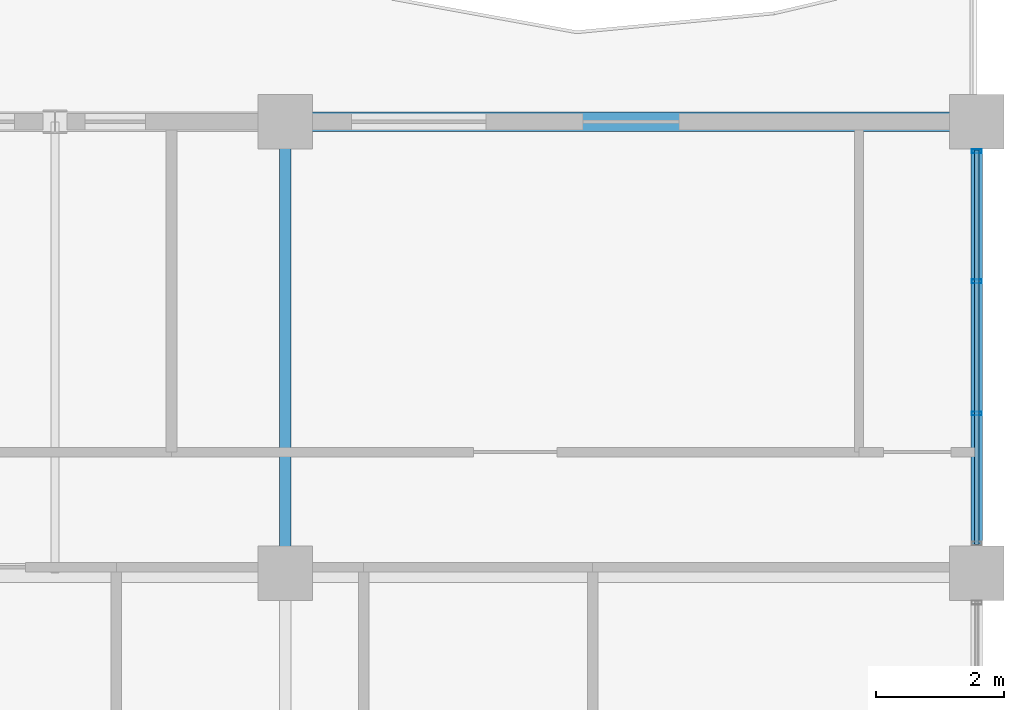
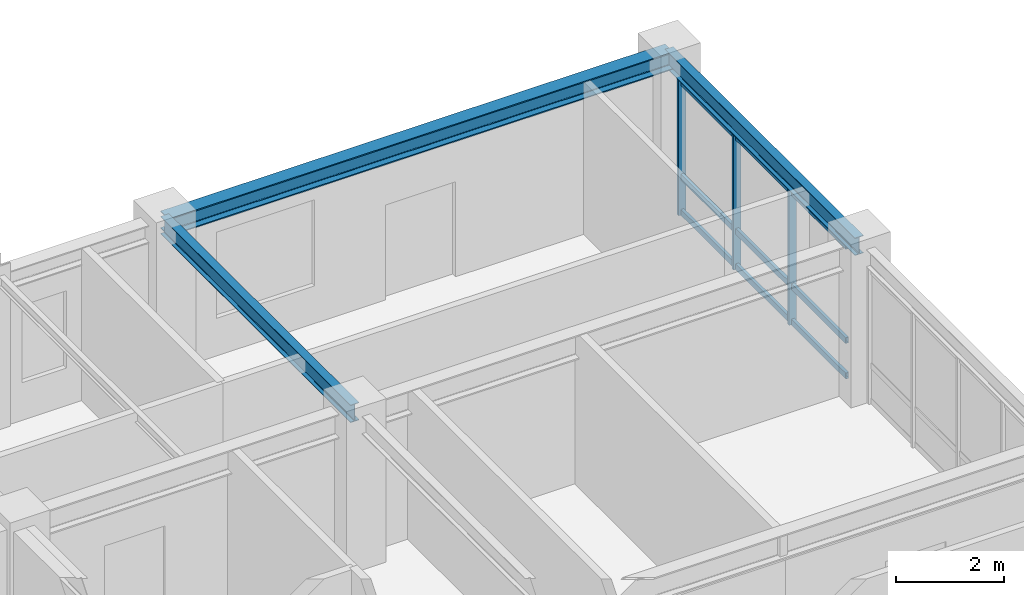
# One storey, part 4 of 11: 6 members, 3 beams, 1 element without a shape of its own.
"""IFC4 building model written with IfcOpenShell, lengths in metres."""

import ifcopenshell
import ifcopenshell.guid

model = None  # the IFC model being written
_history = None  # IfcOwnerHistory: only IFC2X3 demands one
_inside = {}  # id of a spatial element -> (the spatial element, [elements in it])
_under = {}  # id of a project, library or spatial element -> (it, [spatial elements below it])
_declared = {}  # id of a project -> (the project, [libraries it declares])
_typed = {}  # id of a type object -> (the type object, [elements of that type])
_made_of = {}  # id of a material, layer set ... -> (it, [elements and type objects made of it])


def new_model(schema):
    """Start an empty IFC model of exactly this schema.

    Asked for "IFC4X3", IfcOpenShell would pick the latest addendum, in which some entities
    have other attributes; the version numbers below select the first issue.
    IFC2X3 requires an IfcOwnerHistory on every rooted entity: one is made here for all.
    """
    global model, _history
    if schema == "IFC4X3":
        model = ifcopenshell.file(schema_version=(4, 3, 0, 0))
    else:
        model = ifcopenshell.file(schema=schema)
    _inside.clear()
    _under.clear()
    _declared.clear()
    _typed.clear()
    _made_of.clear()
    _history = None
    if model.schema == "IFC2X3":
        org = make("IfcOrganization", Name="unknown")
        user = make(
            "IfcPersonAndOrganization",
            ThePerson=make("IfcPerson", FamilyName="unknown"),
            TheOrganization=org,
        )
        app = make(
            "IfcApplication",
            ApplicationDeveloper=org,
            Version="unknown",
            ApplicationFullName="unknown",
            ApplicationIdentifier="unknown",
        )
        _history = make(
            "IfcOwnerHistory",
            OwningUser=user,
            OwningApplication=app,
            ChangeAction="ADDED",
            CreationDate=0,
        )
    return model


def make(cls, **values):
    """One entity of the class cls with the attributes given. An attribute that is None is left unset."""
    return model.create_entity(
        cls, **{name: value for name, value in values.items() if value is not None}
    )


def rooted(cls, **values):
    """An entity with a GlobalId (a new one), such as an element, a storey or a relation."""
    return make(cls, GlobalId=ifcopenshell.guid.new(), OwnerHistory=_history, **values)


def si_unit(unit_type, name, prefix=None):
    """IfcSIUnit, for example si_unit("LENGTHUNIT", "METRE", prefix="MILLI")."""
    return make("IfcSIUnit", UnitType=unit_type, Prefix=prefix, Name=name)


def assignment(units):
    """IfcUnitAssignment: the units of a project."""
    return None if units is None else make("IfcUnitAssignment", Units=units)


def point(xyz):
    """IfcCartesianPoint."""
    return None if xyz is None else make("IfcCartesianPoint", Coordinates=xyz)


def direction(xyz):
    """IfcDirection."""
    return None if xyz is None else make("IfcDirection", DirectionRatios=xyz)


def frame(location, z_axis=None, x_axis=None):
    """IfcAxis2Placement3D, a coordinate frame: its origin and axes. An axis left out is left unset."""
    return make(
        "IfcAxis2Placement3D",
        Location=point(location),
        Axis=direction(z_axis),
        RefDirection=direction(x_axis),
    )


def frame_2d(location, x_axis=None):
    """IfcAxis2Placement2D, a coordinate frame in the plane: its origin and x axis."""
    return make(
        "IfcAxis2Placement2D", Location=point(location), RefDirection=direction(x_axis)
    )


def origin():
    """The frame at (0, 0, 0) with its axes left unset."""
    return frame((0.0, 0.0, 0.0))


def origin_2d():
    """The frame at (0, 0) in the plane with its x axis left unset."""
    return frame_2d((0.0, 0.0))


def place(relative_to, where):
    """IfcLocalPlacement: puts the frame where relative to a parent placement (None: the world)."""
    return make(
        "IfcLocalPlacement", PlacementRelTo=relative_to, RelativePlacement=where
    )


def context(
    kind, dimensions, precision=None, world=None, true_north=None, identifier=None
):
    """IfcGeometricRepresentationContext, for example the 3D "Model" context."""
    return make(
        "IfcGeometricRepresentationContext",
        ContextIdentifier=identifier,
        ContextType=kind,
        CoordinateSpaceDimension=dimensions,
        Precision=precision,
        WorldCoordinateSystem=world,
        TrueNorth=true_north,
    )


def subcontext(parent, identifier, kind, view, scale=None):
    """IfcGeometricRepresentationSubContext, for example "Body" below "Model"."""
    return make(
        "IfcGeometricRepresentationSubContext",
        ContextIdentifier=identifier,
        ContextType=kind,
        ParentContext=parent,
        TargetScale=scale,
        TargetView=view,
    )


def project(units=None, contexts=None):
    """IfcProject with its units and contexts."""
    return rooted(
        "IfcProject",
        Name="project",
        RepresentationContexts=contexts,
        UnitsInContext=assignment(units),
    )


def spatial(cls, under=None, at=None, **own):
    """A site, building, storey or space (cls), placed at a placement, below another one or the project."""
    s = rooted(cls, ObjectPlacement=at, **own)
    if under is not None:
        _under.setdefault(under.id(), (under, []))[1].append(s)
    return s


def profile(cls, at=None, kind="AREA", **sizes):
    """A parametric profile (cls). Its sizes go by their IFC names, for example OverallWidth=200.0."""
    return make(cls, ProfileType=kind, Position=at, **sizes)


def hollow_rectangle(**sizes):
    """IfcRectangleHollowProfileDef."""
    return profile("IfcRectangleHollowProfileDef", **sizes)


def i_section(**sizes):
    """IfcIShapeProfileDef."""
    return profile("IfcIShapeProfileDef", **sizes)


def extrude(swept, where, along, depth):
    """IfcExtrudedAreaSolid: the profile swept, set in the frame where, extruded along a direction by depth."""
    return make(
        "IfcExtrudedAreaSolid",
        SweptArea=swept,
        Position=where,
        ExtrudedDirection=direction(along),
        Depth=depth,
    )


def shape(context_of_items, identifier, shape_type, items):
    """IfcShapeRepresentation: the items that make up one representation, for example the "Body"."""
    return make(
        "IfcShapeRepresentation",
        ContextOfItems=context_of_items,
        RepresentationIdentifier=identifier,
        RepresentationType=shape_type,
        Items=items,
    )


def source(mapping_origin, context_of_items, identifier, shape_type, items):
    """IfcRepresentationMap: a shape defined once, which mapped items show again and again."""
    return make(
        "IfcRepresentationMap",
        MappingOrigin=mapping_origin,
        MappedRepresentation=shape(context_of_items, identifier, shape_type, items),
    )


def transform(
    local_origin,
    x_axis=None,
    y_axis=None,
    z_axis=None,
    scale=None,
    scale2=None,
    scale3=None,
    uniform=True,
):
    """IfcCartesianTransformationOperator3D, or its non-uniform kind. x_axis, y_axis, z_axis: its Axis1, 2, 3."""
    if uniform:
        return make(
            "IfcCartesianTransformationOperator3D",
            Axis1=direction(x_axis),
            Axis2=direction(y_axis),
            LocalOrigin=point(local_origin),
            Scale=scale,
            Axis3=direction(z_axis),
        )
    return make(
        "IfcCartesianTransformationOperator3DnonUniform",
        Axis1=direction(x_axis),
        Axis2=direction(y_axis),
        LocalOrigin=point(local_origin),
        Scale=scale,
        Axis3=direction(z_axis),
        Scale2=scale2,
        Scale3=scale3,
    )


def mapped(mapping_source, mapping_target):
    """IfcMappedItem: shows the shape of a source again, moved by a transform."""
    return make(
        "IfcMappedItem", MappingSource=mapping_source, MappingTarget=mapping_target
    )


def material(Name=None, Category=None):
    """IfcMaterial."""
    return make("IfcMaterial", Name=Name, Category=Category)


def layer(
    of_material, thickness, ventilated=None, Name=None, Category=None, Priority=None
):
    """IfcMaterialLayer: one layer of a wall or slab, of a material (None: an air gap)."""
    return make(
        "IfcMaterialLayer",
        Material=of_material,
        LayerThickness=thickness,
        IsVentilated=ventilated,
        Name=Name,
        Category=Category,
        Priority=Priority,
    )


def layer_set(layers, Name=None):
    """IfcMaterialLayerSet."""
    return make("IfcMaterialLayerSet", MaterialLayers=layers, LayerSetName=Name)


def material_profile(
    of_material, cross_section, Name=None, Category=None, Priority=None
):
    """IfcMaterialProfile: a cross section and its material."""
    return make(
        "IfcMaterialProfile",
        Name=Name,
        Material=of_material,
        Profile=cross_section,
        Priority=Priority,
        Category=Category,
    )


def profile_set(profiles, Name=None, composite=None):
    """IfcMaterialProfileSet."""
    return make(
        "IfcMaterialProfileSet",
        Name=Name,
        MaterialProfiles=profiles,
        CompositeProfile=composite,
    )


def made_of(thing, what):
    """Note that an element or type object is made of a material, layer set ...; save() writes the relation."""
    if what is not None:
        _made_of.setdefault(what.id(), (what, []))[1].append(thing)
    return thing


def type_object(cls, material=None, **own):
    """A type object (cls), such as IfcWallType, which elements share."""
    return made_of(rooted(cls, **own), material)


def element(
    cls,
    number,
    at=None,
    inside=None,
    cuts=None,
    type_object=None,
    material=None,
    context=None,
    identifier="Body",
    shape_type=None,
    held_by="IfcProductDefinitionShape",
    body=None,
    shapes=None,
    **own,
):
    """One element of the class cls, such as IfcWall. Its Tag is "e" and its number.

    at: its placement. inside: the storey or other place that contains it. cuts: it is an
    opening in that element (IfcRelVoidsElement). A single representation is given by context,
    identifier, shape_type and body (its items); several are given by shapes. held_by: the class
    of the entity that holds the representations. save() writes the other relations.
    """
    e = rooted(cls, Tag="e%d" % number, ObjectPlacement=at, **own)
    if body is not None:
        shapes = [shape(context, identifier, shape_type, body)]
    if shapes is not None:
        e.Representation = make(held_by, Representations=shapes)
    if inside is not None:
        _inside.setdefault(inside.id(), (inside, []))[1].append(e)
    if cuts is not None:
        rooted(
            "IfcRelVoidsElement", RelatingBuildingElement=cuts, RelatedOpeningElement=e
        )
    if type_object is not None:
        _typed.setdefault(type_object.id(), (type_object, []))[1].append(e)
    return made_of(e, material)


def aggregate(whole, parts):
    """IfcRelAggregates: a whole, such as a stair, and the parts it consists of."""
    return rooted("IfcRelAggregates", RelatingObject=whole, RelatedObjects=parts)


def save(model, path):
    """Write the relations noted so far, then the file.

    IfcRelAggregates (storeys below a building ...), IfcRelContainedInSpatialStructure (elements
    in a storey), IfcRelDefinesByType, IfcRelAssociatesMaterial and IfcRelDeclares: one each for
    every whole, place, type object, material and project.
    """
    for whole, parts in _under.values():
        aggregate(whole, parts)
    for where, things in _inside.values():
        rooted(
            "IfcRelContainedInSpatialStructure",
            RelatedElements=things,
            RelatingStructure=where,
        )
    for kind, things in _typed.values():
        rooted("IfcRelDefinesByType", RelatedObjects=things, RelatingType=kind)
    for what, things in _made_of.values():
        rooted("IfcRelAssociatesMaterial", RelatedObjects=things, RelatingMaterial=what)
    for by, libraries in _declared.values():
        rooted("IfcRelDeclares", RelatingContext=by, RelatedDefinitions=libraries)
    model.write(path)


model = new_model("IFC4")

# Units and contexts
model_context = context("Model", 3, precision=1e-05, world=origin(), true_north=direction((0.0, 1.0)))
body_context = subcontext(model_context, "Body", "Model", "MODEL_VIEW")
ifc_project = project(units=[si_unit("LENGTHUNIT", "METRE"), si_unit("AREAUNIT", "SQUARE_METRE"), si_unit("VOLUMEUNIT", "CUBIC_METRE"), si_unit("PLANEANGLEUNIT", "RADIAN"), si_unit("MASSUNIT", "GRAM", prefix="KILO")], contexts=[model_context])

# Site, building, storey
site_placement = place(None, origin())
site = spatial("IfcSite", under=ifc_project, at=site_placement, CompositionType="ELEMENT")
building_placement = place(site_placement, origin())
building = spatial("IfcBuilding", under=site, at=building_placement, Name="Kaliganga Portal Commons", CompositionType="ELEMENT")
storey_placement = place(building_placement, frame((0.0, 0.0, 268.39990234375)))
storey = spatial("IfcBuildingStorey", under=building, at=storey_placement, Name="L69", CompositionType="ELEMENT", Elevation=268.39990234375)

# Beams
ifc_material_1 = material(Name="Structural steel S355J2", Category="steel")
ifc_material_profile_1 = material_profile(ifc_material_1, i_section(OverallWidth=0.300048828125, OverallDepth=0.39990234375, WebThickness=0.013427734375, FlangeThickness=0.02392578125, FilletRadius=0.027099609375, at=origin_2d()), Name="HE 400 B")
ifc_profile_set_1 = profile_set([ifc_material_profile_1], Name="Structural steel S355J2 wide-flange")
beam_type_1 = type_object("IfcBeamType", Name="BM-SPAND-400", PredefinedType="SPANDREL", material=ifc_profile_set_1)
shared_shape_1 = source(origin(), body_context, "Body", "SweptSolid", [
    extrude(i_section(OverallWidth=0.300048828125, OverallDepth=0.39990234375, WebThickness=0.013427734375, FlangeThickness=0.02392578125, FilletRadius=0.027099609375, at=origin_2d()), origin(), (0.0, 0.0, 1.0), 10.800048828125),
])
beam_placement = place(storey_placement, frame((36.0, 43.199951171875, 3.275146484375), z_axis=(1.0, 0.0, 0.0), x_axis=(0.0, 1.0, 0.0)))
element("IfcBeam", 1, at=beam_placement, inside=storey, type_object=beam_type_1, Name="BM SP L69 AN 7", PredefinedType="SPANDREL", context=body_context, shape_type="MappedRepresentation", body=[
    mapped(shared_shape_1, transform((0.0, 0.0, 0.0), x_axis=(1.0, 0.0, 0.0), y_axis=(0.0, 1.0, 0.0), z_axis=(0.0, 0.0, 1.0), scale=1.0)),
])
ifc_material_profile_2 = material_profile(ifc_material_1, i_section(OverallWidth=0.179931640625, OverallDepth=0.39990234375, WebThickness=0.008544921875, FlangeThickness=0.013427734375, FilletRadius=0.02099609375, at=origin_2d()), Name="IPE 400")
ifc_profile_set_2 = profile_set([ifc_material_profile_2], Name="Structural steel S355J2 wide-flange")
beam_type_2 = type_object("IfcBeamType", Name="BM-FLR-400", PredefinedType="BEAM", material=ifc_profile_set_2)
shared_shape_2 = source(origin(), body_context, "Body", "SweptSolid", [
    extrude(i_section(OverallWidth=0.179931640625, OverallDepth=0.39990234375, WebThickness=0.008544921875, FlangeThickness=0.013427734375, FilletRadius=0.02099609375, at=origin_2d()), origin(), (0.0, 0.0, 1.0), 7.050048828125),
])
for number, where, z_axis, x_axis, name in (
    (2, (36.0, 36.14990234375, 3.275146484375), (0.0, 1.0, 0.0), (-1.0, 0.0, 0.0), "BM G L69 AN360"),
    (3, (46.800048828125, 36.14990234375, 3.275146484375), (0.0, 1.0, 0.0), (-1.0, 0.0, 0.0), "BM G L69 AN468"),
):
    element("IfcBeam", number, at=place(storey_placement, frame(where, z_axis=z_axis, x_axis=x_axis)), inside=storey, type_object=beam_type_2, Name=name, PredefinedType="BEAM", context=body_context, shape_type="MappedRepresentation", body=[
        mapped(shared_shape_2, transform((0.0, 0.0, 0.0), x_axis=(1.0, 0.0, 0.0), y_axis=(0.0, 1.0, 0.0), z_axis=(0.0, 0.0, 1.0), scale=1.0)),
    ])

# Curtain wall, members
ifc_material_2 = material(Name="Anodized Aluminium and Laminated Low-E Glass", Category="aluminium")
ifc_layer = layer(ifc_material_2, 0.18994140625)
ifc_layer_set = layer_set([ifc_layer], Name="Anodized Aluminium and Laminated Low-E Glass")
curtain_wall_type = type_object("IfcCurtainWallType", Name="CW-SYS-05", PredefinedType="NOTDEFINED", material=ifc_layer_set)
curtain_wall_placement = place(storey_placement, origin())
curtain_wall = element("IfcCurtainWall", 4, at=curtain_wall_placement, inside=storey, type_object=curtain_wall_type, Name="CW 05 L69 P1E01S3", PredefinedType="NOTDEFINED")
ifc_material_3 = material(Name="Dark Bronze Anodized Aluminium", Category="aluminium")
ifc_material_profile_3 = material_profile(ifc_material_3, hollow_rectangle(XDim=0.06494140625, YDim=0.135009765625, WallThickness=0.00341796875, at=origin_2d()), Name="ALU TRAN 65x135x3.5")
ifc_profile_set_3 = profile_set([ifc_material_profile_3], Name="Dark Bronze Anodized Aluminium")
member_type_1 = type_object("IfcMemberType", Name="CW-TRN-135", PredefinedType="USERDEFINED", material=ifc_profile_set_3)
shared_shape_3 = source(origin(), body_context, "Body", "SweptSolid", [
    extrude(hollow_rectangle(XDim=0.06494140625, YDim=0.135009765625, WallThickness=0.00341796875, at=origin_2d()), origin(), (0.0, 0.0, 1.0), 6.157958984375),
])
member_1_placement = place(storey_placement, frame((46.800048828125, 36.595947265625, 0.06005859375), z_axis=(0.0, 1.0, 0.0), x_axis=(-1.0, 0.0, 0.0)))
member_1 = element("IfcMember", 5, at=member_1_placement, type_object=member_type_1, Name="CW:05:L69:P1E01S3 Transom 1", ObjectType="TRANSOM", PredefinedType="USERDEFINED", context=body_context, shape_type="MappedRepresentation", body=[
    mapped(shared_shape_3, transform((0.0, 0.0, 0.0), x_axis=(1.0, 0.0, 0.0), y_axis=(0.0, 1.0, 0.0), z_axis=(0.0, 0.0, 1.0), scale=1.0)),
])
member_2_placement = place(storey_placement, frame((46.800048828125, 36.595947265625, 0.861083984375), z_axis=(0.0, 1.0, 0.0), x_axis=(-1.0, 0.0, 0.0)))
member_2 = element("IfcMember", 6, at=member_2_placement, type_object=member_type_1, Name="CW:05:L69:P1E01S3 Transom 2", ObjectType="TRANSOM", PredefinedType="USERDEFINED", context=body_context, shape_type="MappedRepresentation", body=[
    mapped(shared_shape_3, transform((0.0, 0.0, 0.0), x_axis=(1.0, 0.0, 0.0), y_axis=(0.0, 1.0, 0.0), z_axis=(0.0, 0.0, 1.0), scale=1.0)),
])
member_3_placement = place(storey_placement, frame((46.800048828125, 36.595947265625, 2.9951171875), z_axis=(0.0, 1.0, 0.0), x_axis=(-1.0, 0.0, 0.0)))
member_3 = element("IfcMember", 7, at=member_3_placement, type_object=member_type_1, Name="CW:05:L69:P1E01S3 Transom 3", ObjectType="TRANSOM", PredefinedType="USERDEFINED", context=body_context, shape_type="MappedRepresentation", body=[
    mapped(shared_shape_3, transform((0.0, 0.0, 0.0), x_axis=(1.0, 0.0, 0.0), y_axis=(0.0, 1.0, 0.0), z_axis=(0.0, 0.0, 1.0), scale=1.0)),
])
ifc_material_profile_4 = material_profile(ifc_material_3, hollow_rectangle(XDim=0.06005859375, YDim=0.159912109375, WallThickness=0.00341796875, at=origin_2d()), Name="ALU MULL 60x160x3.5")
ifc_profile_set_4 = profile_set([ifc_material_profile_4], Name="Dark Bronze Anodized Aluminium")
member_type_2 = type_object("IfcMemberType", Name="CW-MUL-160", PredefinedType="MULLION", material=ifc_profile_set_4)
shared_shape_4 = source(origin(), body_context, "Body", "SweptSolid", [
    extrude(hollow_rectangle(XDim=0.06005859375, YDim=0.159912109375, WallThickness=0.00341796875, at=origin_2d()), origin(), (0.0, 0.0, 1.0), 3.0751953125),
])
member_4_placement = place(storey_placement, frame((46.800048828125, 38.64208984375, 0.0), z_axis=(0.0, 0.0, 1.0), x_axis=(0.0, 1.0, 0.0)))
member_4 = element("IfcMember", 8, at=member_4_placement, type_object=member_type_2, Name="CW:05:L69:P1E01S3 Mullion 01", PredefinedType="MULLION", context=body_context, shape_type="MappedRepresentation", body=[
    mapped(shared_shape_4, transform((0.0, 0.0, 0.0), x_axis=(1.0, 0.0, 0.0), y_axis=(0.0, 1.0, 0.0), z_axis=(0.0, 0.0, 1.0), scale=1.0)),
])
member_5_placement = place(storey_placement, frame((46.800048828125, 40.7080078125, 0.0), z_axis=(0.0, 0.0, 1.0), x_axis=(0.0, 1.0, 0.0)))
member_5 = element("IfcMember", 9, at=member_5_placement, type_object=member_type_2, Name="CW:05:L69:P1E01S3 Mullion 02", PredefinedType="MULLION", context=body_context, shape_type="MappedRepresentation", body=[
    mapped(shared_shape_4, transform((0.0, 0.0, 0.0), x_axis=(1.0, 0.0, 0.0), y_axis=(0.0, 1.0, 0.0), z_axis=(0.0, 0.0, 1.0), scale=1.0)),
])
member_6_placement = place(storey_placement, frame((46.800048828125, 42.739013671875, 0.0), z_axis=(0.0, 0.0, 1.0), x_axis=(0.0, 1.0, 0.0)))
member_6 = element("IfcMember", 10, at=member_6_placement, type_object=member_type_2, Name="CW:05:L69:P1E01S3 Mullion 03", PredefinedType="MULLION", context=body_context, shape_type="MappedRepresentation", body=[
    mapped(shared_shape_4, transform((0.0, 0.0, 0.0), x_axis=(1.0, 0.0, 0.0), y_axis=(0.0, 1.0, 0.0), z_axis=(0.0, 0.0, 1.0), scale=1.0)),
])
aggregate(curtain_wall, [member_4, member_5, member_6, member_1, member_2, member_3])

save(model, "model.ifc")
